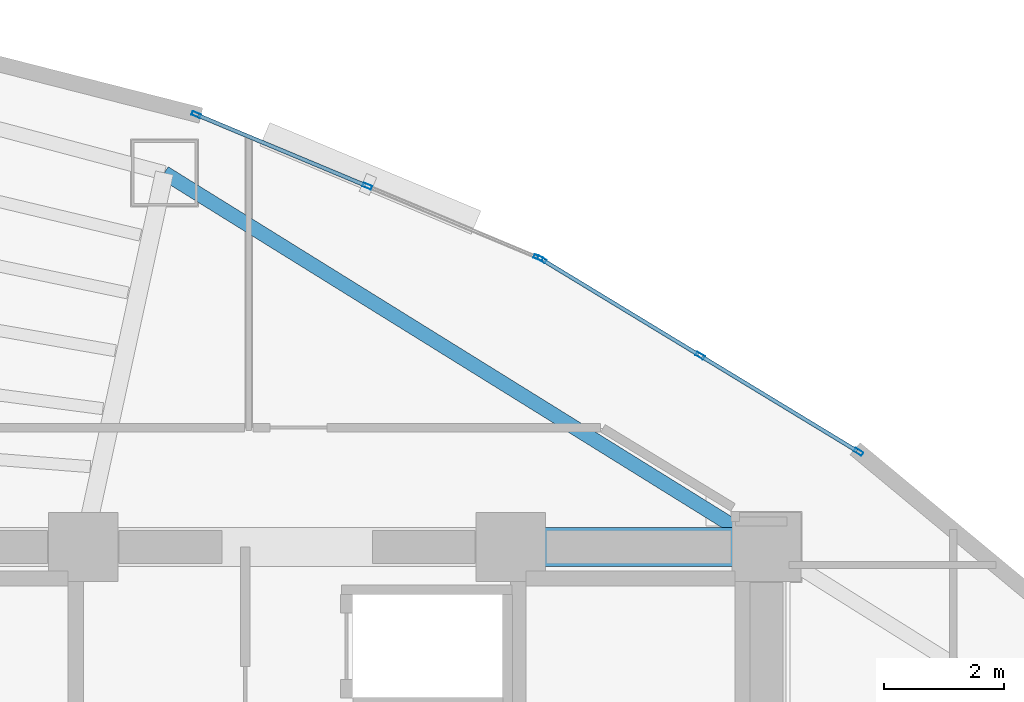
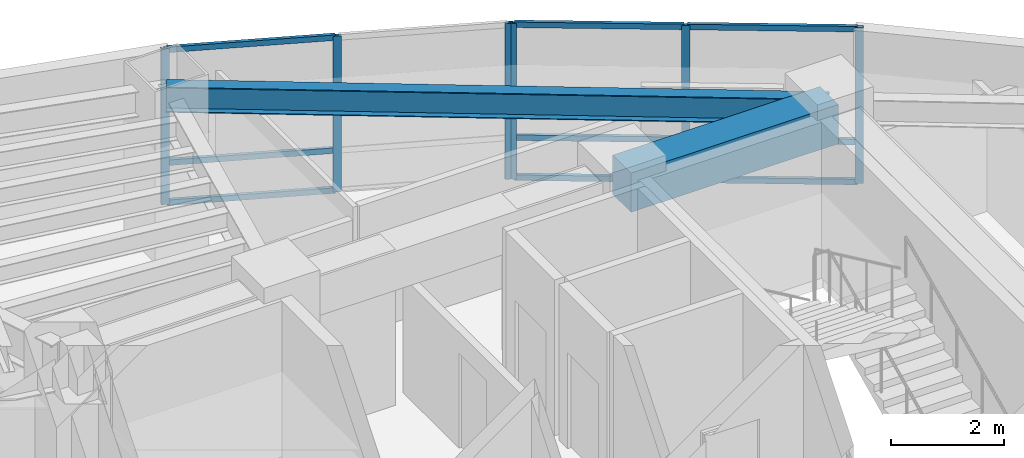
# One storey, part 9 of 15: 15 members, 2 beams, 2 elements without a shape of their own.
"""IFC4 building model written with IfcOpenShell, lengths in metres."""

from ifc_helpers import new_model, si_unit, direction, frame, origin, origin_2d, place, context, subcontext, project, spatial, rectangle, hollow_rectangle, i_section, extrude, material, layer, layer_set, material_profile, profile_set, type_object, element, aggregate, save


model = new_model("IFC4")

# Units and contexts
model_context = context("Model", 3, precision=1e-05, world=origin(), true_north=direction((0.0, 1.0)))
body_context = subcontext(model_context, "Body", "Model", "MODEL_VIEW")
ifc_project = project(units=[si_unit("LENGTHUNIT", "METRE"), si_unit("AREAUNIT", "SQUARE_METRE"), si_unit("VOLUMEUNIT", "CUBIC_METRE"), si_unit("PLANEANGLEUNIT", "RADIAN"), si_unit("MASSUNIT", "GRAM", prefix="KILO")], contexts=[model_context])

# Site, building, storey
site_placement = place(None, origin())
site = spatial("IfcSite", under=ifc_project, at=site_placement, CompositionType="ELEMENT")
building_placement = place(site_placement, origin())
building = spatial("IfcBuilding", under=site, at=building_placement, Name="Menara Vayukalpa", CompositionType="ELEMENT")
storey_placement = place(building_placement, frame((0.0, 0.0, 144.89990234375)))
storey = spatial("IfcBuildingStorey", under=building, at=storey_placement, Name="L36", CompositionType="ELEMENT", Elevation=144.89990234375)

# Beams
ifc_material_1 = material(Name="Concrete C60/75", Category="concrete")
ifc_material_profile_1 = material_profile(ifc_material_1, rectangle(XDim=0.64990234375, YDim=0.85009765625, at=origin_2d()), Name="RC 650x850")
ifc_profile_set_1 = profile_set([ifc_material_profile_1], Name="Concrete C60/75")
beam_type_1 = type_object("IfcBeamType", Name="BM-CB1", PredefinedType="BEAM", material=ifc_profile_set_1)
beam_1_placement = place(storey_placement, frame((29.14990234375, 26.800048828125, 2.955078125), z_axis=(1.0, 0.0, 0.0), x_axis=(0.0, 1.0, 0.0)))
element("IfcBeam", 1, at=beam_1_placement, inside=storey, type_object=beam_type_1, Name="L36 Core Tie Beam CBR6", PredefinedType="BEAM", context=body_context, shape_type="SweptSolid", body=[
    extrude(rectangle(XDim=0.64990234375, YDim=0.85009765625, at=origin_2d()), origin(), (0.0, 0.0, 1.0), 4.25),
])
ifc_material_2 = material(Name="Steel S355", Category="steel")
ifc_material_profile_2 = material_profile(ifc_material_2, i_section(OverallWidth=0.239990234375, OverallDepth=0.550048828125, WebThickness=0.010986328125, FlangeThickness=0.01904296875, at=origin_2d()), Name="WF 550x240x11x19")
ifc_profile_set_2 = profile_set([ifc_material_profile_2], Name="Steel S355")
beam_type_2 = type_object("IfcBeamType", Name="BM-SP2", PredefinedType="SPANDREL", material=ifc_profile_set_2)
beam_2_placement = place(storey_placement, frame((33.39990234375, 26.800048828125, 3.10498046875), z_axis=(-0.849518408464, 0.527558976495, 0.0), x_axis=(-0.527558976495, -0.849518408464, 0.0)))
element("IfcBeam", 2, at=beam_2_placement, inside=storey, type_object=beam_type_2, Name="L36 Perimeter Spandrel Beam SP02", PredefinedType="SPANDREL", context=body_context, shape_type="SweptSolid", body=[
    extrude(i_section(OverallWidth=0.239990234375, OverallDepth=0.550048828125, WebThickness=0.010986328125, FlangeThickness=0.01904296875, at=origin_2d()), origin(), (0.0, 0.0, 1.0), 11.77490234375),
])

# Curtain wall, members
ifc_material_3 = material(Name="Anodised Terracotta Aluminium Alloy 6063-T6", Category="masonry")
ifc_layer = layer(ifc_material_3, 0.14990234375)
ifc_layer_set = layer_set([ifc_layer], Name="Anodised Terracotta Aluminium Alloy 6063-T6")
curtain_wall_type = type_object("IfcCurtainWallType", Name="CW-CW3", PredefinedType="USERDEFINED", material=ifc_layer_set)
curtain_wall_1_placement = place(storey_placement, origin())
curtain_wall_1 = element("IfcCurtainWall", 3, at=curtain_wall_1_placement, inside=storey, type_object=curtain_wall_type, Name="L36 Mid Rise Terracotta Ribbon Curtain Wall CW3 04", ObjectType="UNITISED", PredefinedType="USERDEFINED")
ifc_material_4 = material(Name="Anodised Terracotta Aluminium Alloy 6063-T6", Category="masonry")
ifc_material_profile_3 = material_profile(ifc_material_4, hollow_rectangle(XDim=0.06494140625, YDim=0.14990234375, WallThickness=0.00341796875, at=origin_2d()), Name="ALU 65x150x3.5")
ifc_profile_set_3 = profile_set([ifc_material_profile_3], Name="Anodised Terracotta Aluminium Alloy 6063-T6")
member_type_1 = type_object("IfcMemberType", Name="CWM-CW3", PredefinedType="MULLION", material=ifc_profile_set_3)
member_1_placement = place(storey_placement, frame((34.927001953125, 28.377197265625, 0.0), z_axis=(0.0, 0.0, 1.0), x_axis=(-0.519195768176, -0.854655342409, 0.0)))
member_1 = element("IfcMember", 4, at=member_1_placement, type_object=member_type_1, Name="CW3 mullion 1", PredefinedType="MULLION", context=body_context, shape_type="SweptSolid", body=[
    extrude(hollow_rectangle(XDim=0.06494140625, YDim=0.14990234375, WallThickness=0.00341796875, at=origin_2d()), origin(), (0.0, 0.0, 1.0), 3.380126953125),
])
member_2_placement = place(storey_placement, frame((32.295654296875, 29.9755859375, 0.0), z_axis=(0.0, 0.0, 1.0), x_axis=(-0.519195768176, -0.854655342409, 0.0)))
member_2 = element("IfcMember", 5, at=member_2_placement, type_object=member_type_1, Name="CW3 mullion 2", PredefinedType="MULLION", context=body_context, shape_type="SweptSolid", body=[
    extrude(hollow_rectangle(XDim=0.06494140625, YDim=0.14990234375, WallThickness=0.00341796875, at=origin_2d()), origin(), (0.0, 0.0, 1.0), 3.380126953125),
])
member_3_placement = place(storey_placement, frame((29.66455078125, 31.57421875, 0.0), z_axis=(0.0, 0.0, 1.0), x_axis=(-0.519195768176, -0.854655342409, 0.0)))
member_3 = element("IfcMember", 6, at=member_3_placement, type_object=member_type_1, Name="CW3 mullion 3", PredefinedType="MULLION", context=body_context, shape_type="SweptSolid", body=[
    extrude(hollow_rectangle(XDim=0.06494140625, YDim=0.14990234375, WallThickness=0.00341796875, at=origin_2d()), origin(), (0.0, 0.0, 1.0), 3.380126953125),
])

curtain_wall_2_placement = place(storey_placement, origin())
curtain_wall_2 = element("IfcCurtainWall", 7, at=curtain_wall_2_placement, inside=storey, type_object=curtain_wall_type, Name="L36 Mid Rise Terracotta Ribbon Curtain Wall CW3 05", ObjectType="UNITISED", PredefinedType="USERDEFINED")
member_4_placement = place(storey_placement, frame((29.606689453125, 31.603515625, 0.0), z_axis=(0.0, 0.0, 1.0), x_axis=(-0.385886210456, -0.922546385056, 0.0)))
member_4 = element("IfcMember", 8, at=member_4_placement, type_object=member_type_1, Name="CW3 mullion 1", PredefinedType="MULLION", context=body_context, shape_type="SweptSolid", body=[
    extrude(hollow_rectangle(XDim=0.06494140625, YDim=0.14990234375, WallThickness=0.00341796875, at=origin_2d()), origin(), (0.0, 0.0, 1.0), 3.380126953125),
])
member_5_placement = place(storey_placement, frame((26.766357421875, 32.79150390625, 0.0), z_axis=(0.0, 0.0, 1.0), x_axis=(-0.385886210456, -0.922546385056, 0.0)))
member_5 = element("IfcMember", 9, at=member_5_placement, type_object=member_type_1, Name="CW3 mullion 2", PredefinedType="MULLION", context=body_context, shape_type="SweptSolid", body=[
    extrude(hollow_rectangle(XDim=0.06494140625, YDim=0.14990234375, WallThickness=0.00341796875, at=origin_2d()), origin(), (0.0, 0.0, 1.0), 3.380126953125),
])
member_6_placement = place(storey_placement, frame((23.926025390625, 33.979736328125, 0.0), z_axis=(0.0, 0.0, 1.0), x_axis=(-0.385886210456, -0.922546385056, 0.0)))
member_6 = element("IfcMember", 10, at=member_6_placement, type_object=member_type_1, Name="CW3 mullion 3", PredefinedType="MULLION", context=body_context, shape_type="SweptSolid", body=[
    extrude(hollow_rectangle(XDim=0.06494140625, YDim=0.14990234375, WallThickness=0.00341796875, at=origin_2d()), origin(), (0.0, 0.0, 1.0), 3.380126953125),
])

# Member
ifc_material_5 = material(Name="Anodised Terracotta Aluminium Alloy 6063-T6", Category="masonry")
ifc_material_profile_4 = material_profile(ifc_material_5, hollow_rectangle(XDim=0.06494140625, YDim=0.1201171875, WallThickness=0.00341796875, at=origin_2d()), Name="ALU 65x120x3.5")
ifc_profile_set_4 = profile_set([ifc_material_profile_4], Name="Anodised Terracotta Aluminium Alloy 6063-T6")
member_type_2 = type_object("IfcMemberType", Name="CWT-CW3", PredefinedType="USERDEFINED", material=ifc_profile_set_4)
member_7_placement = place(storey_placement, frame((34.899169921875, 28.39404296875, 0.03271484375), z_axis=(-0.854656573285, 0.519193742008, 0.0), x_axis=(-0.519193742008, -0.854656573285, 0.0)))
member_7 = element("IfcMember", 11, at=member_7_placement, type_object=member_type_2, Name="CW3 transom 1.1", ObjectType="TRANSOM", PredefinedType="USERDEFINED", context=body_context, shape_type="SweptSolid", body=[
    extrude(hollow_rectangle(XDim=0.06494140625, YDim=0.1201171875, WallThickness=0.00341796875, at=origin_2d()), origin(), (0.0, 0.0, 1.0), 3.013671875),
])

member_8_placement = place(storey_placement, frame((34.899169921875, 28.39404296875, 0.900146484375), z_axis=(-0.854656573285, 0.519193742008, 0.0), x_axis=(-0.519193742008, -0.854656573285, 0.0)))
member_8 = element("IfcMember", 12, at=member_8_placement, type_object=member_type_2, Name="CW3 transom 1.2", ObjectType="TRANSOM", PredefinedType="USERDEFINED", context=body_context, shape_type="SweptSolid", body=[
    extrude(hollow_rectangle(XDim=0.06494140625, YDim=0.1201171875, WallThickness=0.00341796875, at=origin_2d()), origin(), (0.0, 0.0, 1.0), 3.013671875),
])

member_9_placement = place(storey_placement, frame((34.899169921875, 28.39404296875, 3.34765625), z_axis=(-0.854656573285, 0.519193742008, 0.0), x_axis=(-0.519193742008, -0.854656573285, 0.0)))
member_9 = element("IfcMember", 13, at=member_9_placement, type_object=member_type_2, Name="CW3 transom 1.3", ObjectType="TRANSOM", PredefinedType="USERDEFINED", context=body_context, shape_type="SweptSolid", body=[
    extrude(hollow_rectangle(XDim=0.06494140625, YDim=0.1201171875, WallThickness=0.00341796875, at=origin_2d()), origin(), (0.0, 0.0, 1.0), 3.013671875),
])

member_10_placement = place(storey_placement, frame((32.26806640625, 29.992431640625, 0.03271484375), z_axis=(-0.854642464994, 0.519216965275, 0.0), x_axis=(-0.519216965275, -0.854642464994, 0.0)))
member_10 = element("IfcMember", 14, at=member_10_placement, type_object=member_type_2, Name="CW3 transom 2.1", ObjectType="TRANSOM", PredefinedType="USERDEFINED", context=body_context, shape_type="SweptSolid", body=[
    extrude(hollow_rectangle(XDim=0.06494140625, YDim=0.1201171875, WallThickness=0.00341796875, at=origin_2d()), origin(), (0.0, 0.0, 1.0), 3.01416015625),
])

member_11_placement = place(storey_placement, frame((32.26806640625, 29.992431640625, 0.900146484375), z_axis=(-0.854642464994, 0.519216965275, 0.0), x_axis=(-0.519216965275, -0.854642464994, 0.0)))
member_11 = element("IfcMember", 15, at=member_11_placement, type_object=member_type_2, Name="CW3 transom 2.2", ObjectType="TRANSOM", PredefinedType="USERDEFINED", context=body_context, shape_type="SweptSolid", body=[
    extrude(hollow_rectangle(XDim=0.06494140625, YDim=0.1201171875, WallThickness=0.00341796875, at=origin_2d()), origin(), (0.0, 0.0, 1.0), 3.01416015625),
])

member_12_placement = place(storey_placement, frame((32.26806640625, 29.992431640625, 3.34765625), z_axis=(-0.854642464994, 0.519216965275, 0.0), x_axis=(-0.519216965275, -0.854642464994, 0.0)))
member_12 = element("IfcMember", 16, at=member_12_placement, type_object=member_type_2, Name="CW3 transom 2.3", ObjectType="TRANSOM", PredefinedType="USERDEFINED", context=body_context, shape_type="SweptSolid", body=[
    extrude(hollow_rectangle(XDim=0.06494140625, YDim=0.1201171875, WallThickness=0.00341796875, at=origin_2d()), origin(), (0.0, 0.0, 1.0), 3.01416015625),
])

aggregate(curtain_wall_1, [member_1, member_2, member_3, member_7, member_8, member_9, member_10, member_11, member_12])

member_13_placement = place(storey_placement, frame((26.736328125, 32.80419921875, 0.03271484375), z_axis=(-0.922558380554, 0.385857531312, 0.0), x_axis=(-0.385857531312, -0.922558380554, 0.0)))
member_13 = element("IfcMember", 17, at=member_13_placement, type_object=member_type_2, Name="CW3 transom 2.1", ObjectType="TRANSOM", PredefinedType="USERDEFINED", context=body_context, shape_type="SweptSolid", body=[
    extrude(hollow_rectangle(XDim=0.06494140625, YDim=0.1201171875, WallThickness=0.00341796875, at=origin_2d()), origin(), (0.0, 0.0, 1.0), 3.013671875),
])

member_14_placement = place(storey_placement, frame((26.736328125, 32.80419921875, 0.900146484375), z_axis=(-0.922558380554, 0.385857531312, 0.0), x_axis=(-0.385857531312, -0.922558380554, 0.0)))
member_14 = element("IfcMember", 18, at=member_14_placement, type_object=member_type_2, Name="CW3 transom 2.2", ObjectType="TRANSOM", PredefinedType="USERDEFINED", context=body_context, shape_type="SweptSolid", body=[
    extrude(hollow_rectangle(XDim=0.06494140625, YDim=0.1201171875, WallThickness=0.00341796875, at=origin_2d()), origin(), (0.0, 0.0, 1.0), 3.013671875),
])

member_15_placement = place(storey_placement, frame((26.736328125, 32.80419921875, 3.34765625), z_axis=(-0.922558380554, 0.385857531312, 0.0), x_axis=(-0.385857531312, -0.922558380554, 0.0)))
member_15 = element("IfcMember", 19, at=member_15_placement, type_object=member_type_2, Name="CW3 transom 2.3", ObjectType="TRANSOM", PredefinedType="USERDEFINED", context=body_context, shape_type="SweptSolid", body=[
    extrude(hollow_rectangle(XDim=0.06494140625, YDim=0.1201171875, WallThickness=0.00341796875, at=origin_2d()), origin(), (0.0, 0.0, 1.0), 3.013671875),
])

aggregate(curtain_wall_2, [member_4, member_5, member_6, member_13, member_14, member_15])

save(model, "model.ifc")
